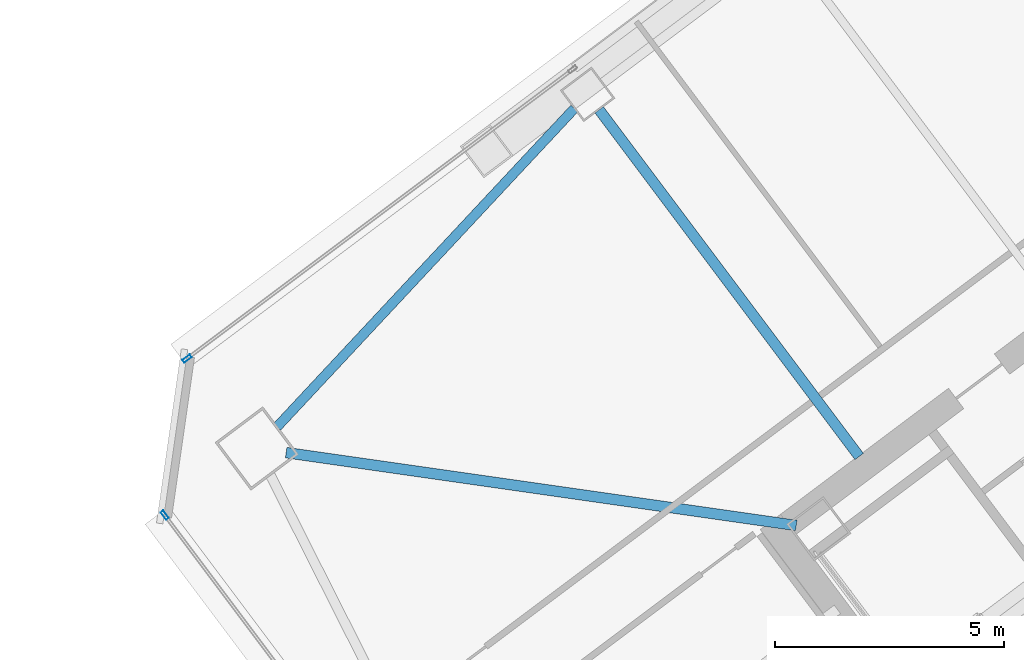
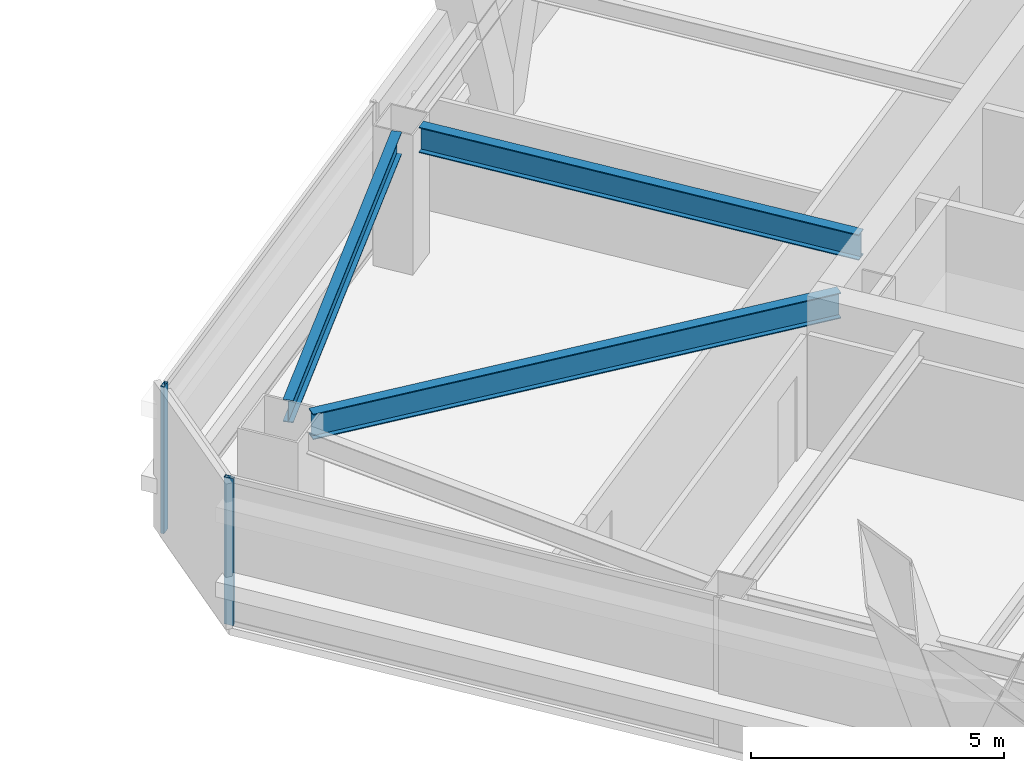
# One storey, part 25 of 50: 3 beams, 2 members, 2 elements without a shape of their own.
"""IFC4 building model written with IfcOpenShell, lengths in metres."""

from ifc_helpers import new_model, si_unit, direction, frame, origin, origin_2d, place, context, subcontext, project, spatial, hollow_rectangle, i_section, extrude, material, material_profile, profile_set, type_object, element, aggregate, save


model = new_model("IFC4")

# Units and contexts
model_context = context("Model", 3, precision=1e-05, world=origin(), true_north=direction((0.0, 1.0)))
body_context = subcontext(model_context, "Body", "Model", "MODEL_VIEW")
ifc_project = project(units=[si_unit("LENGTHUNIT", "METRE"), si_unit("AREAUNIT", "SQUARE_METRE"), si_unit("VOLUMEUNIT", "CUBIC_METRE"), si_unit("PLANEANGLEUNIT", "RADIAN"), si_unit("MASSUNIT", "GRAM", prefix="KILO")], contexts=[model_context])

# Site, building, storey
site_placement = place(None, origin())
site = spatial("IfcSite", under=ifc_project, at=site_placement, CompositionType="ELEMENT")
building_placement = place(site_placement, origin())
building = spatial("IfcBuilding", under=site, at=building_placement, Name="Tashvorn Skyway Center", CompositionType="ELEMENT")
storey_placement = place(building_placement, frame((0.0, 0.0, 114.39990234375)))
storey = spatial("IfcBuildingStorey", under=building, at=storey_placement, Name="L30", CompositionType="ELEMENT", Elevation=114.39990234375)

# Beams
ifc_material_1 = material(Name="Steel ASTM A992 Grade 50", Category="steel")
ifc_material_profile_1 = material_profile(ifc_material_1, i_section(OverallWidth=0.22998046875, OverallDepth=0.616943359375, WebThickness=0.01318359375, FlangeThickness=0.022216796875, at=origin_2d()), Name="W24X94")
ifc_profile_set_1 = profile_set([ifc_material_profile_1], Name="Steel ASTM A992 Grade 50")
beam_type_1 = type_object("IfcBeamType", Name="BM-BEAM-W24X94", PredefinedType="BEAM", material=ifc_profile_set_1)
beam_1_placement = place(storey_placement, frame((92.5185546875, 35.06884765625, 3.0615234375), z_axis=(0.989948189712, -0.141430483583, 0.0), x_axis=(0.141430483583, 0.989948189712, 0.0)))
element("IfcBeam", 1, at=beam_1_placement, inside=storey, type_object=beam_type_1, Name="Tower 2 L30 Primary Floor Girder MC-NW", PredefinedType="BEAM", context=body_context, shape_type="SweptSolid", body=[
    extrude(i_section(OverallWidth=0.22998046875, OverallDepth=0.616943359375, WebThickness=0.01318359375, FlangeThickness=0.022216796875, at=origin_2d()), origin(), (0.0, 0.0, 1.0), 11.234375),
])
beam_2_placement = place(storey_placement, frame((99.342041015625, 42.5439453125, 3.0615234375), z_axis=(0.599991732772, -0.800006200354, 0.0), x_axis=(0.800006200354, 0.599991732772, 0.0)))
element("IfcBeam", 2, at=beam_2_placement, inside=storey, type_object=beam_type_1, Name="Tower 2 L30 Primary Floor Girder FC-N2", PredefinedType="BEAM", context=body_context, shape_type="SweptSolid", body=[
    extrude(i_section(OverallWidth=0.22998046875, OverallDepth=0.616943359375, WebThickness=0.01318359375, FlangeThickness=0.022216796875, at=origin_2d()), origin(), (0.0, 0.0, 1.0), 9.449951171875),
])
ifc_material_profile_2 = material_profile(ifc_material_1, i_section(OverallWidth=0.2109375, OverallDepth=0.5390625, WebThickness=0.01171875, FlangeThickness=0.018798828125, at=origin_2d()), Name="W21X73")
ifc_profile_set_2 = profile_set([ifc_material_profile_2], Name="Steel ASTM A992 Grade 50")
beam_type_2 = type_object("IfcBeamType", Name="BM-SPANDREL-W21X73", PredefinedType="SPANDREL", material=ifc_profile_set_2)
beam_3_placement = place(storey_placement, frame((98.80322265625, 42.572998046875, 3.1005859375), z_axis=(-0.682545341102, -0.730843250868, 0.0), x_axis=(0.730843250868, -0.682545341102, 0.0)))
element("IfcBeam", 3, at=beam_3_placement, inside=storey, type_object=beam_type_2, Name="Tower 2 L30 Spandrel Beam 09", PredefinedType="SPANDREL", context=body_context, shape_type="SweptSolid", body=[
    extrude(i_section(OverallWidth=0.2109375, OverallDepth=0.5390625, WebThickness=0.01171875, FlangeThickness=0.018798828125, at=origin_2d()), origin(), (0.0, 0.0, 1.0), 9.498046875),
])

# Curtain wall, member
ifc_material_2 = material(Name="Thermally broken bronze-anodized aluminium 6063-T6", Category="aluminium")
curtain_wall_type = type_object("IfcCurtainWallType", Name="CW-CW-Z3", PredefinedType="NOTDEFINED", material=ifc_material_2)
curtain_wall_1_placement = place(storey_placement, origin())
curtain_wall_1 = element("IfcCurtainWall", 4, at=curtain_wall_1_placement, inside=storey, type_object=curtain_wall_type, Name="Tower 2 L30 West Unitised Curtain Wall Glazing Group 2", PredefinedType="NOTDEFINED")
ifc_material_profile_3 = material_profile(ifc_material_2, hollow_rectangle(XDim=0.074951171875, YDim=0.199951171875, WallThickness=0.00439453125, at=origin_2d()), Name="ALU-MULL-75x200")
ifc_profile_set_3 = profile_set([ifc_material_profile_3], Name="Thermally broken bronze-anodized aluminium 6063-T6")
member_type = type_object("IfcMemberType", Name="CWM-CW-Z3", PredefinedType="MULLION", material=ifc_profile_set_3)
member_1_placement = place(storey_placement, frame((89.87060546875, 33.7060546875, 0.0), z_axis=(0.0, 0.0, 1.0), x_axis=(-0.799998866489, -0.600001511345, 0.0)))
member_1 = element("IfcMember", 5, at=member_1_placement, type_object=member_type, Name="CW-Z3 mullion 2", PredefinedType="MULLION", context=body_context, shape_type="SweptSolid", body=[
    extrude(hollow_rectangle(XDim=0.074951171875, YDim=0.199951171875, WallThickness=0.00439453125, at=origin_2d()), origin(), (0.0, 0.0, 1.0), 3.550048828125),
])
aggregate(curtain_wall_1, [member_1])

curtain_wall_2_placement = place(storey_placement, origin())
curtain_wall_2 = element("IfcCurtainWall", 6, at=curtain_wall_2_placement, inside=storey, type_object=curtain_wall_type, Name="Tower 2 L30 North Unitised Curtain Wall Glazing Group 1", PredefinedType="NOTDEFINED")
member_2_placement = place(storey_placement, frame((90.35791015625, 37.118408203125, 0.0), z_axis=(0.0, 0.0, 1.0), x_axis=(-0.600001511345, 0.799998866489, 0.0)))
member_2 = element("IfcMember", 7, at=member_2_placement, type_object=member_type, Name="CW-Z3 mullion 1", PredefinedType="MULLION", context=body_context, shape_type="SweptSolid", body=[
    extrude(hollow_rectangle(XDim=0.074951171875, YDim=0.199951171875, WallThickness=0.00439453125, at=origin_2d()), origin(), (0.0, 0.0, 1.0), 3.550048828125),
])
aggregate(curtain_wall_2, [member_2])

save(model, "model.ifc")
